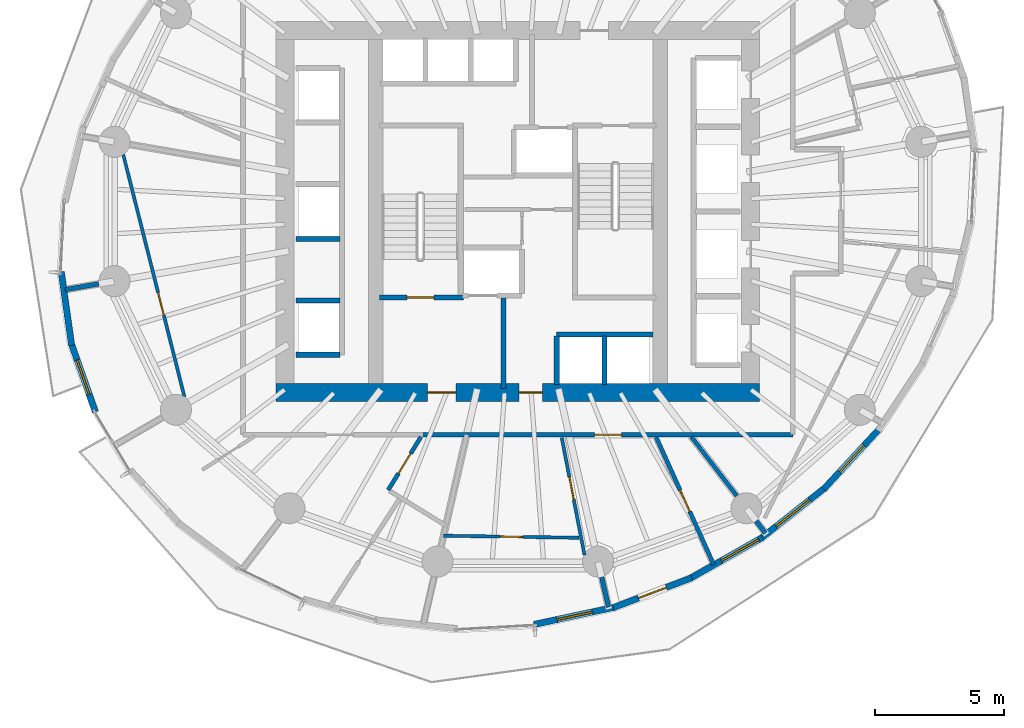
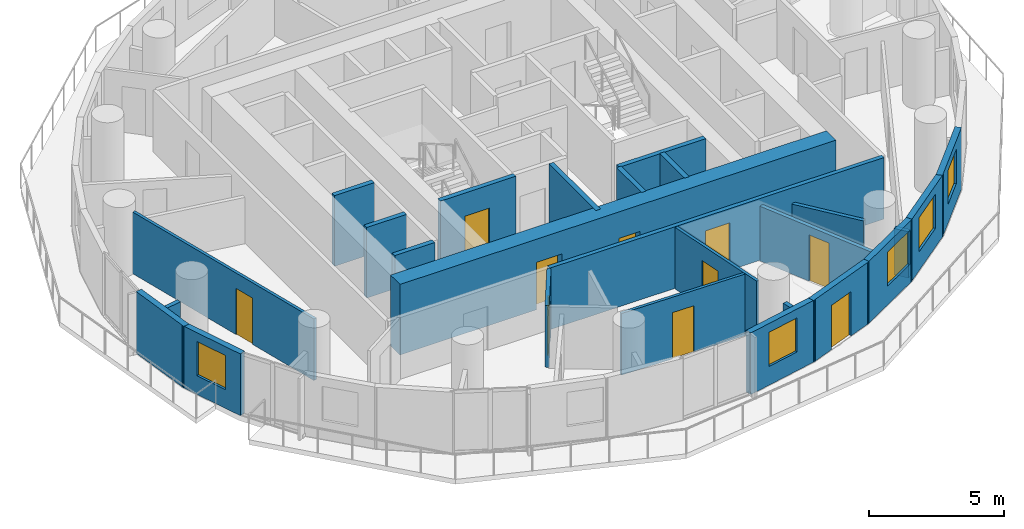
# One storey, part 7 of 15: 26 walls, 10 doors, 5 windows, 15 openings.
"""IFC4 building model written with IfcOpenShell, lengths in metres."""

from ifc_helpers import new_model, si_unit, direction, frame, frame_2d, origin, place, context, subcontext, project, spatial, rectangle, extrude, material, layer, layer_set, type_object, element, fill, save


model = new_model("IFC4")

# Units and contexts
model_context = context("Model", 3, precision=1e-05, world=origin(), true_north=direction((0.0, 1.0)))
body_context = subcontext(model_context, "Body", "Model", "MODEL_VIEW")
ifc_project = project(units=[si_unit("LENGTHUNIT", "METRE"), si_unit("AREAUNIT", "SQUARE_METRE"), si_unit("VOLUMEUNIT", "CUBIC_METRE"), si_unit("PLANEANGLEUNIT", "RADIAN"), si_unit("MASSUNIT", "GRAM", prefix="KILO")], contexts=[model_context])

# Site, building, storey
site_placement = place(None, origin())
site = spatial("IfcSite", under=ifc_project, at=site_placement, CompositionType="ELEMENT")
building_placement = place(site_placement, origin())
building = spatial("IfcBuilding", under=site, at=building_placement, Name="Veldorim Arch Residences", CompositionType="ELEMENT")
storey_placement = place(building_placement, frame((0.0, 0.0, 109.280029296875)))
storey = spatial("IfcBuildingStorey", under=building, at=storey_placement, Name="L32", CompositionType="ELEMENT", Elevation=109.280029296875)

# Wall, opening, door
ifc_material_1 = material(Name="Acoustic Gypsum Board", Category="gypsum")
ifc_layer_1 = layer(ifc_material_1, 0.125, Name="Acoustic Stud Room Partition Wall 125")
ifc_layer_set_1 = layer_set([ifc_layer_1], Name="Acoustic Gypsum Board")
wall_type_1 = type_object("IfcWallType", Name="Acoustic Stud Room Partition Wall 125", PredefinedType="PARTITIONING", material=ifc_layer_set_1)
wall_1_placement = place(storey_placement, frame((34.576904296875, 10.718994140625, 0.0), z_axis=(0.0, 0.0, 1.0), x_axis=(-0.19043944415, 0.981698944744, 0.0)))
wall_1 = element("IfcWall", 1, at=wall_1_placement, inside=storey, type_object=wall_type_1, Name="L32 interior wall WL-RES-L32-012", PredefinedType="PARTITIONING", context=body_context, shape_type="SweptSolid", body=[
    extrude(rectangle(XDim=4.61767578125, YDim=0.125, at=frame_2d((2.308837890625, 0.0))), origin(), (0.0, 0.0, 1.0), 2.794921875),
])
opening_1_placement = place(wall_1_placement, frame((2.18701171875, 0.0, 0.0)))
opening_1 = element("IfcOpeningElement", 2, at=opening_1_placement, cuts=wall_1, Name="Opening DR-INT", PredefinedType="OPENING", context=body_context, shape_type="SweptSolid", body=[
    extrude(rectangle(XDim=0.89990234375, YDim=2.10009765625, at=frame_2d((0.449951171875, 1.050048828125))), frame((0.0, 0.072509765625, 0.0), z_axis=(0.0, -1.0, 0.0), x_axis=(1.0, 0.0, 0.0)), (0.0, 0.0, 1.0), 0.14501953125),
])
ifc_material_2 = material(Name="Engineered Timber", Category="wood")
door_type_1 = type_object("IfcDoorType", Name="Apartment Internal Room Timber Door 900x2100", OperationType="SINGLE_SWING_LEFT", PredefinedType="DOOR", material=ifc_material_2)
door_1_placement = place(opening_1_placement, origin())
door_1 = element("IfcDoor", 3, at=door_1_placement, inside=storey, type_object=door_type_1, Name="L32 interior door DR-RES-L32-003", OperationType="SINGLE_SWING_LEFT", OverallHeight=2.10009765625, OverallWidth=0.89990234375, PredefinedType="DOOR", context=body_context, shape_type="SweptSolid", body=[
    extrude(rectangle(XDim=0.89990234375, YDim=2.10009765625, at=frame_2d((0.449951171875, 1.050048828125))), frame((0.0, 0.02490234375, 0.0), z_axis=(0.0, -1.0, 0.0), x_axis=(1.0, 0.0, 0.0)), (0.0, 0.0, 1.0), 0.050048828125),
])
fill(opening_1, door_1)

wall_2_placement = place(storey_placement, frame((34.3681640625, 11.38427734375, 0.0), z_axis=(0.0, 0.0, 1.0), x_axis=(-0.999882579861, 0.015324049414, 0.0)))
wall_2 = element("IfcWall", 4, at=wall_2_placement, inside=storey, type_object=wall_type_1, Name="L32 interior wall WL-RES-L32-014", PredefinedType="PARTITIONING", context=body_context, shape_type="SweptSolid", body=[
    extrude(rectangle(XDim=5.24169921875, YDim=0.125, at=frame_2d((2.620849609375, 0.0))), origin(), (0.0, 0.0, 1.0), 2.794921875),
])
opening_2_placement = place(wall_2_placement, frame((2.1708984375, 0.0, 0.0)))
opening_2 = element("IfcOpeningElement", 5, at=opening_2_placement, cuts=wall_2, Name="Opening DR-INT", PredefinedType="OPENING", context=body_context, shape_type="SweptSolid", body=[
    extrude(rectangle(XDim=0.89990234375, YDim=2.10009765625, at=frame_2d((0.449951171875, 1.050048828125))), frame((0.0, 0.072509765625, 0.0), z_axis=(0.0, -1.0, 0.0), x_axis=(1.0, 0.0, 0.0)), (0.0, 0.0, 1.0), 0.14501953125),
])
door_2_placement = place(opening_2_placement, origin())
door_2 = element("IfcDoor", 6, at=door_2_placement, inside=storey, type_object=door_type_1, Name="L32 interior door DR-RES-L32-004", OperationType="SINGLE_SWING_RIGHT", OverallHeight=2.10009765625, OverallWidth=0.89990234375, PredefinedType="DOOR", context=body_context, shape_type="SweptSolid", body=[
    extrude(rectangle(XDim=0.89990234375, YDim=2.10009765625, at=frame_2d((0.449951171875, 1.050048828125))), frame((0.0, 0.02490234375, 0.0), z_axis=(0.0, -1.0, 0.0), x_axis=(1.0, 0.0, 0.0)), (0.0, 0.0, 1.0), 0.050048828125),
])
fill(opening_2, door_2)

wall_3_placement = place(storey_placement, frame((19.111328125, 16.82568359375, 0.0), z_axis=(0.0, 0.0, 1.0), x_axis=(-0.244982180272, 0.969527581531, 0.0)))
wall_3 = element("IfcWall", 7, at=wall_3_placement, inside=storey, type_object=wall_type_1, Name="L32 interior wall WL-RES-L32-036", PredefinedType="PARTITIONING", context=body_context, shape_type="SweptSolid", body=[
    extrude(rectangle(XDim=9.670654296875, YDim=0.125, at=frame_2d((4.83544921875, 0.0))), origin(), (0.0, 0.0, 1.0), 2.794921875),
])
opening_3_placement = place(wall_3_placement, frame((3.265380859375, 0.0, 0.0)))
opening_3 = element("IfcOpeningElement", 8, at=opening_3_placement, cuts=wall_3, Name="Opening DR-INT", PredefinedType="OPENING", context=body_context, shape_type="SweptSolid", body=[
    extrude(rectangle(XDim=0.89990234375, YDim=2.10009765625, at=frame_2d((0.449951171875, 1.050048828125))), frame((0.0, 0.072509765625, 0.0), z_axis=(0.0, -1.0, 0.0), x_axis=(1.0, 0.0, 0.0)), (0.0, 0.0, 1.0), 0.14501953125),
])
door_3_placement = place(opening_3_placement, origin())
door_3 = element("IfcDoor", 9, at=door_3_placement, inside=storey, type_object=door_type_1, Name="L32 interior door DR-RES-L32-022", OperationType="SINGLE_SWING_RIGHT", OverallHeight=2.10009765625, OverallWidth=0.89990234375, PredefinedType="DOOR", context=body_context, shape_type="SweptSolid", body=[
    extrude(rectangle(XDim=0.89990234375, YDim=2.10009765625, at=frame_2d((0.449951171875, 1.050048828125))), frame((0.0, 0.02490234375, 0.0), z_axis=(0.0, -1.0, 0.0), x_axis=(1.0, 0.0, 0.0)), (0.0, 0.0, 1.0), 0.050048828125),
])
fill(opening_3, door_3)

# Walls
ifc_material_3 = material(Name="Lightweight Masonry Block & Gypsum", Category="masonry")
ifc_layer_2 = layer(ifc_material_3, 0.179931640625, Name="Compartment & Corridor Fire-Rated Party Wall 180")
ifc_layer_set_2 = layer_set([ifc_layer_2], Name="Lightweight Masonry Block & Gypsum")
wall_type_2 = type_object("IfcWallType", Name="Compartment & Corridor Fire-Rated Party Wall 180", PredefinedType="PARTITIONING", material=ifc_layer_set_2)
wall_4_placement = place(storey_placement, frame((15.79443359375, 21.202392578125, 0.0), z_axis=(0.0, 0.0, 1.0), x_axis=(-0.98541625201, -0.170161130326, 0.0)))
element("IfcWall", 10, at=wall_4_placement, inside=storey, type_object=wall_type_2, Name="L32 interior wall WL-PIER-L32-09", PredefinedType="PARTITIONING", context=body_context, shape_type="SweptSolid", body=[
    extrude(rectangle(XDim=1.318603515625, YDim=0.179931640625, at=frame_2d((0.6591796875, 0.0))), origin(), (0.0, 0.0, 1.0), 2.100341796875),
])
wall_5_placement = place(storey_placement, frame((35.240478515625, 9.86083984375, 0.0), z_axis=(0.0, 0.0, 1.0), x_axis=(0.223327310752, -0.974743511018, 0.0)))
element("IfcWall", 11, at=wall_5_placement, inside=storey, type_object=wall_type_2, Name="L32 interior wall WL-PIER-L32-13", PredefinedType="PARTITIONING", context=body_context, shape_type="SweptSolid", body=[
    extrude(rectangle(XDim=1.187255859375, YDim=0.179931640625, at=frame_2d((0.59375, 0.0))), origin(), (0.0, 0.0, 1.0), 2.100341796875),
])
wall_6_placement = place(storey_placement, frame((41.2119140625, 12.034423828125, 0.0), z_axis=(0.0, 0.0, 1.0), x_axis=(0.609790512648, -0.792562635181, 0.0)))
element("IfcWall", 12, at=wall_6_placement, inside=storey, type_object=wall_type_2, Name="L32 interior wall WL-PIER-L32-14", PredefinedType="PARTITIONING", context=body_context, shape_type="SweptSolid", body=[
    extrude(rectangle(XDim=0.591796875, YDim=0.179931640625, at=frame_2d((0.2958984375, 0.0))), origin(), (0.0, 0.0, 1.0), 2.100341796875),
])

# Wall, opening, door
wall_7_placement = place(storey_placement, frame((42.6298828125, 15.3701171875, 0.0), z_axis=(0.0, 0.0, 1.0), x_axis=(-1.0, 0.0, 0.0)))
wall_7 = element("IfcWall", 13, at=wall_7_placement, inside=storey, type_object=wall_type_2, Name="L32 interior wall WL-RES-L32-001", PredefinedType="PARTITIONING", context=body_context, shape_type="SweptSolid", body=[
    extrude(rectangle(XDim=14.345703125, YDim=0.179931640625, at=frame_2d((7.1728515625, 0.0))), origin(), (0.0, 0.0, 1.0), 2.794921875),
])
opening_4_placement = place(wall_7_placement, frame((6.614990234375, 0.0, 0.0)))
opening_4 = element("IfcOpeningElement", 14, at=opening_4_placement, cuts=wall_7, Name="Opening DR-FLT", PredefinedType="OPENING", context=body_context, shape_type="SweptSolid", body=[
    extrude(rectangle(XDim=1.050048828125, YDim=2.14990234375, at=frame_2d((0.52490234375, 1.074951171875))), frame((0.0, 0.099853515625, 0.0), z_axis=(0.0, -1.0, 0.0), x_axis=(1.0, 0.0, 0.0)), (0.0, 0.0, 1.0), 0.199951171875),
])
ifc_material_4 = material(Name="Fire-Rated Timber", Category="wood")
door_type_2 = type_object("IfcDoorType", Name="Apartment Entrance Solid-Core Fire Door 1050x2150", OperationType="SINGLE_SWING_LEFT", PredefinedType="DOOR", material=ifc_material_4)
door_4_placement = place(opening_4_placement, origin())
door_4 = element("IfcDoor", 15, at=door_4_placement, inside=storey, type_object=door_type_2, Name="L32 interior door DR-RES-L32-001", OperationType="SINGLE_SWING_LEFT", OverallHeight=2.14990234375, OverallWidth=1.050048828125, PredefinedType="DOOR", context=body_context, shape_type="SweptSolid", body=[
    extrude(rectangle(XDim=1.050048828125, YDim=2.14990234375, at=frame_2d((0.52490234375, 1.074951171875))), frame((0.0, 0.02490234375, 0.0), z_axis=(0.0, -1.0, 0.0), x_axis=(1.0, 0.0, 0.0)), (0.0, 0.0, 1.0), 0.050048828125),
])
fill(opening_4, door_4)

ifc_material_5 = material(Name="Concrete C50/60", Category="concrete")
ifc_layer_3 = layer(ifc_material_5, 0.199951171875, Name="Core Stair & Lift Shaft Enclosure Wall 200")
ifc_layer_set_3 = layer_set([ifc_layer_3], Name="Concrete C50/60")
wall_type_3 = type_object("IfcWallType", Name="Core Stair & Lift Shaft Enclosure Wall 200", PredefinedType="SHEAR", material=ifc_layer_set_3)
wall_8_placement = place(storey_placement, frame((26.64990234375, 20.669921875, 0.0), z_axis=(0.0, 0.0, 1.0), x_axis=(1.0, 0.0, 0.0)))
wall_8 = element("IfcWall", 16, at=wall_8_placement, inside=storey, type_object=wall_type_3, Name="L32 shaft wall WL-SHF-L32-ST1-S", PredefinedType="SHEAR", context=body_context, shape_type="SweptSolid", body=[
    extrude(rectangle(XDim=3.239990234375, YDim=0.199951171875, at=frame_2d((1.6201171875, 0.0))), origin(), (0.0, 0.0, 1.0), 3.199951171875),
])
opening_5_placement = place(wall_8_placement, frame((1.054931640625, 0.0, 0.0)))
opening_5 = element("IfcOpeningElement", 17, at=opening_5_placement, cuts=wall_8, Name="Opening DR-ST", PredefinedType="OPENING", context=body_context, shape_type="SweptSolid", body=[
    extrude(rectangle(XDim=1.050048828125, YDim=2.14990234375, at=frame_2d((0.52490234375, 1.074951171875))), frame((0.0, 0.10986328125, 0.0), z_axis=(0.0, -1.0, 0.0), x_axis=(1.0, 0.0, 0.0)), (0.0, 0.0, 1.0), 0.219970703125),
])
ifc_material_6 = material(Name="Fire-Rated Steel", Category="steel")
door_type_3 = type_object("IfcDoorType", Name="Exit Staircase Self-Closing Fire Door 1050x2150", OperationType="SINGLE_SWING_LEFT", PredefinedType="DOOR", material=ifc_material_6)
door_5_placement = place(opening_5_placement, origin())
door_5 = element("IfcDoor", 18, at=door_5_placement, inside=storey, type_object=door_type_3, Name="L32 interior door DR-L32-ST1", OperationType="SINGLE_SWING_LEFT", OverallHeight=2.14990234375, OverallWidth=1.050048828125, PredefinedType="DOOR", context=body_context, shape_type="SweptSolid", body=[
    extrude(rectangle(XDim=1.050048828125, YDim=2.14990234375, at=frame_2d((0.52490234375, 1.074951171875))), frame((0.0, 0.02490234375, 0.0), z_axis=(0.0, -1.0, 0.0), x_axis=(1.0, 0.0, 0.0)), (0.0, 0.0, 1.0), 0.050048828125),
])
fill(opening_5, door_5)

# Walls
wall_9_placement = place(storey_placement, frame((31.449951171875, 17.14990234375, 0.0), z_axis=(0.0, 0.0, 1.0), x_axis=(0.0, 1.0, 0.0)))
element("IfcWall", 19, at=wall_9_placement, inside=storey, type_object=wall_type_3, Name="L32 shaft wall WL-FFL1-L32-E", PredefinedType="SHEAR", context=body_context, shape_type="SweptSolid", body=[
    extrude(rectangle(XDim=3.5, YDim=0.199951171875, at=frame_2d((1.75, 0.0))), origin(), (0.0, 0.0, 1.0), 3.199951171875),
])
for number, where, z_axis, x_axis, name in (
    (20, (23.419921875, 18.4599609375, 0.0), (0.0, 0.0, 1.0), (1.0, 0.0, 0.0), "L32 shaft wall WL-B2-L32-S"),
    (21, (23.419921875, 20.56005859375, 0.0), (0.0, 0.0, 1.0), (1.0, 0.0, 0.0), "L32 shaft wall WL-B2-L32-D1A"),
    (22, (23.419921875, 22.93994140625, 0.0), (0.0, 0.0, 1.0), (1.0, 0.0, 0.0), "L32 shaft wall WL-B2-L32-D1B"),
):
    element("IfcWall", number, at=place(storey_placement, frame(where, z_axis=z_axis, x_axis=x_axis)), inside=storey, type_object=wall_type_3, Name=name, PredefinedType="SHEAR", context=body_context, shape_type="SweptSolid", body=[
        extrude(rectangle(XDim=1.7099609375, YDim=0.199951171875, at=frame_2d((0.85498046875, 0.0))), origin(), (0.0, 0.0, 1.0), 3.199951171875),
    ])
wall_10_placement = place(storey_placement, frame((33.5, 19.25, 0.0), z_axis=(0.0, 0.0, 1.0), x_axis=(1.0, 0.0, 0.0)))
element("IfcWall", 23, at=wall_10_placement, inside=storey, type_object=wall_type_3, Name="L32 shaft wall WL-OL-L32-N", PredefinedType="SHEAR", context=body_context, shape_type="SweptSolid", body=[
    extrude(rectangle(XDim=3.719970703125, YDim=0.199951171875, at=frame_2d((1.85986328125, 0.0))), origin(), (0.0, 0.0, 1.0), 3.199951171875),
])
for number, where, z_axis, x_axis, name in (
    (24, (33.5, 17.320068359375, 0.0), (0.0, 0.0, 1.0), (0.0, 1.0, 0.0), "L32 shaft wall WL-OL-L32-W"),
    (25, (35.35009765625, 17.320068359375, 0.0), (0.0, 0.0, 1.0), (0.0, 1.0, 0.0), "L32 shaft wall WL-OL-L32-D1"),
):
    element("IfcWall", number, at=place(storey_placement, frame(where, z_axis=z_axis, x_axis=x_axis)), inside=storey, type_object=wall_type_3, Name=name, PredefinedType="SHEAR", context=body_context, shape_type="SweptSolid", body=[
        extrude(rectangle(XDim=1.85986328125, YDim=0.199951171875, at=frame_2d((0.929931640625, 0.0))), origin(), (0.0, 0.0, 1.0), 3.199951171875),
    ])

# Wall, openings, doors
ifc_material_7 = material(Name="Concrete C60/75", Category="concrete")
ifc_layer_4 = layer(ifc_material_7, 0.699951171875, Name="Mid-Lower Central Core Shear Wall 700")
ifc_layer_set_4 = layer_set([ifc_layer_4], Name="Concrete C60/75")
wall_type_4 = type_object("IfcWallType", Name="Mid-Lower Central Core Shear Wall 700", PredefinedType="SHEAR", material=ifc_layer_set_4)
wall_11_placement = place(storey_placement, frame((22.64990234375, 17.0, 0.0), z_axis=(0.0, 0.0, 1.0), x_axis=(1.0, 0.0, 0.0)))
wall_11 = element("IfcWall", 26, at=wall_11_placement, inside=storey, type_object=wall_type_4, Name="L32 central core south shear wall", PredefinedType="SHEAR", context=body_context, shape_type="SweptSolid", body=[
    extrude(rectangle(XDim=18.7001953125, YDim=0.699951171875, at=frame_2d((9.35009765625, 0.0))), origin(), (0.0, 0.0, 1.0), 3.199951171875),
])
opening_6_placement = place(wall_11_placement, frame((5.85009765625, 0.0, 0.0)))
opening_6 = element("IfcOpeningElement", 27, at=opening_6_placement, cuts=wall_11, Name="Opening DR-FFL", PredefinedType="OPENING", context=body_context, shape_type="SweptSolid", body=[
    extrude(rectangle(XDim=1.10009765625, YDim=2.14990234375, at=frame_2d((0.550048828125, 1.074951171875))), frame((0.0, 0.35986328125, 0.0), z_axis=(0.0, -1.0, 0.0), x_axis=(1.0, 0.0, 0.0)), (0.0, 0.0, 1.0), 0.719970703125),
])
opening_7_placement = place(wall_11_placement, frame((9.39990234375, 0.0, 0.0)))
opening_7 = element("IfcOpeningElement", 28, at=opening_7_placement, cuts=wall_11, Name="Opening DR-SVC2", PredefinedType="OPENING", context=body_context, shape_type="SweptSolid", body=[
    extrude(rectangle(XDim=0.89990234375, YDim=2.0, at=frame_2d((0.449951171875, 1.0))), frame((0.0, 0.35986328125, 0.0), z_axis=(0.0, -1.0, 0.0), x_axis=(1.0, 0.0, 0.0)), (0.0, 0.0, 1.0), 0.719970703125),
])
ifc_material_8 = material(Name="Fire-Rated Steel & Vision Glass", Category="steel")
door_type_4 = type_object("IfcDoorType", Name="Firefighting Lobby Smoke-Stop Fire Door 1100x2150", OperationType="SINGLE_SWING_LEFT", PredefinedType="DOOR", material=ifc_material_8)
door_6_placement = place(opening_6_placement, origin())
door_6 = element("IfcDoor", 29, at=door_6_placement, inside=storey, type_object=door_type_4, Name="L32 interior door DR-L32-FFL1", OperationType="SINGLE_SWING_RIGHT", OverallHeight=2.14990234375, OverallWidth=1.10009765625, PredefinedType="DOOR", context=body_context, shape_type="SweptSolid", body=[
    extrude(rectangle(XDim=1.10009765625, YDim=2.14990234375, at=frame_2d((0.550048828125, 1.074951171875))), frame((0.0, 0.02490234375, 0.0), z_axis=(0.0, -1.0, 0.0), x_axis=(1.0, 0.0, 0.0)), (0.0, 0.0, 1.0), 0.050048828125),
])
fill(opening_6, door_6)
ifc_material_9 = material(Name="Fire-Rated Steel", Category="steel")
door_type_5 = type_object("IfcDoorType", Name="Riser & Plant Low-Soffit Rated Steel Door 900x2000", OperationType="SINGLE_SWING_LEFT", PredefinedType="DOOR", material=ifc_material_9)
door_7_placement = place(opening_7_placement, origin())
door_7 = element("IfcDoor", 30, at=door_7_placement, inside=storey, type_object=door_type_5, Name="L32 interior door DR-L32-COR-ANC", OperationType="SINGLE_SWING_LEFT", OverallHeight=2.0, OverallWidth=0.89990234375, PredefinedType="DOOR", context=body_context, shape_type="SweptSolid", body=[
    extrude(rectangle(XDim=0.89990234375, YDim=2.0, at=frame_2d((0.449951171875, 1.0))), frame((0.0, 0.02490234375, 0.0), z_axis=(0.0, -1.0, 0.0), x_axis=(1.0, 0.0, 0.0)), (0.0, 0.0, 1.0), 0.050048828125),
])
fill(opening_7, door_7)

# Wall
ifc_material_10 = material(Name="Precast concrete C40/50", Category="concrete")
ifc_layer_5 = layer(ifc_material_10, 0.25, Name="Tower Terracotta Spandrel & Pier Wall 250")
ifc_layer_set_5 = layer_set([ifc_layer_5], Name="Precast concrete C40/50")
wall_type_5 = type_object("IfcWallType", Name="Tower Terracotta Spandrel & Pier Wall 250", PredefinedType="SOLIDWALL", material=ifc_layer_set_5)
wall_12_placement = place(storey_placement, frame((14.744140625, 18.823974609375, 0.0), z_axis=(0.0, 0.0, 1.0), x_axis=(-0.139982311006, 0.990154004489, 0.0)))
element("IfcWall", 31, at=wall_12_placement, inside=storey, type_object=wall_type_5, Name="L32 terracotta facade wall 17", PredefinedType="SOLIDWALL", context=body_context, shape_type="SweptSolid", body=[
    extrude(rectangle(XDim=2.874267578125, YDim=0.25, at=frame_2d((1.43701171875, 0.0))), origin(), (0.0, 0.0, 1.0), 2.800048828125),
])

# Wall, opening, window
wall_13_placement = place(storey_placement, frame((15.6650390625, 16.25, 0.0), z_axis=(0.0, 0.0, 1.0), x_axis=(-0.332923265962, 0.942953921982, 0.0)))
wall_13 = element("IfcWall", 32, at=wall_13_placement, inside=storey, type_object=wall_type_5, Name="L32 terracotta facade wall 18", PredefinedType="SOLIDWALL", context=body_context, shape_type="SweptSolid", body=[
    extrude(rectangle(XDim=2.847412109375, YDim=0.25, at=frame_2d((1.423828125, 0.0))), origin(), (0.0, 0.0, 1.0), 2.800048828125),
])
opening_8_placement = place(wall_13_placement, frame((0.72412109375, 0.0, 0.85009765625)))
opening_8 = element("IfcOpeningElement", 33, at=opening_8_placement, cuts=wall_13, Name="Opening WN-02", PredefinedType="OPENING", context=body_context, shape_type="SweptSolid", body=[
    extrude(rectangle(XDim=1.39990234375, YDim=1.550048828125, at=frame_2d((0.699951171875, 0.77490234375))), frame((0.0, 0.135009765625, 0.0), z_axis=(0.0, -1.0, 0.0), x_axis=(1.0, 0.0, 0.0)), (0.0, 0.0, 1.0), 0.27001953125),
])
ifc_material_11 = material(Name="Laminated Low-E Glass", Category="glass")
window_type_1 = type_object("IfcWindowType", Name="Residential Casement Window 1400x1550", PartitioningType="SINGLE_PANEL", PredefinedType="WINDOW", material=ifc_material_11)
window_1_placement = place(opening_8_placement, origin())
window_1 = element("IfcWindow", 34, at=window_1_placement, inside=storey, type_object=window_type_1, Name="L32 solar-control facade window 18", OverallHeight=1.550048828125, OverallWidth=1.39990234375, PartitioningType="SINGLE_PANEL", PredefinedType="WINDOW", context=body_context, shape_type="SweptSolid", body=[
    extrude(rectangle(XDim=1.39990234375, YDim=1.550048828125, at=frame_2d((0.699951171875, 0.77490234375))), frame((0.0, 0.030029296875, 0.0), z_axis=(0.0, -1.0, 0.0), x_axis=(1.0, 0.0, 0.0)), (0.0, 0.0, 1.0), 0.06005859375),
])
fill(opening_8, window_1)

wall_14_placement = place(storey_placement, frame((35.783203125, 8.70703125, 0.0), z_axis=(0.0, 0.0, 1.0), x_axis=(-0.977758229837, -0.209735175845, 0.0)))
wall_14 = element("IfcWall", 35, at=wall_14_placement, inside=storey, type_object=wall_type_5, Name="L32 terracotta facade wall 26", PredefinedType="SOLIDWALL", context=body_context, shape_type="SweptSolid", body=[
    extrude(rectangle(XDim=3.236083984375, YDim=0.25, at=frame_2d((1.6181640625, 0.0))), origin(), (0.0, 0.0, 1.0), 2.800048828125),
])
opening_9_placement = place(wall_14_placement, frame((0.91796875, 0.0, 0.85009765625)))
opening_9 = element("IfcOpeningElement", 36, at=opening_9_placement, cuts=wall_14, Name="Opening WN-02", PredefinedType="OPENING", context=body_context, shape_type="SweptSolid", body=[
    extrude(rectangle(XDim=1.39990234375, YDim=1.550048828125, at=frame_2d((0.699951171875, 0.77490234375))), frame((0.0, 0.135009765625, 0.0), z_axis=(0.0, -1.0, 0.0), x_axis=(1.0, 0.0, 0.0)), (0.0, 0.0, 1.0), 0.27001953125),
])
window_2_placement = place(opening_9_placement, origin())
window_2 = element("IfcWindow", 37, at=window_2_placement, inside=storey, type_object=window_type_1, Name="L32 solar-control facade window 26", OverallHeight=1.550048828125, OverallWidth=1.39990234375, PartitioningType="SINGLE_PANEL", PredefinedType="WINDOW", context=body_context, shape_type="SweptSolid", body=[
    extrude(rectangle(XDim=1.39990234375, YDim=1.550048828125, at=frame_2d((0.699951171875, 0.77490234375))), frame((0.0, 0.030029296875, 0.0), z_axis=(0.0, -1.0, 0.0), x_axis=(1.0, 0.0, 0.0)), (0.0, 0.0, 1.0), 0.06005859375),
])
fill(opening_9, window_2)

# Wall, opening, door
wall_15_placement = place(storey_placement, frame((38.724853515625, 9.83642578125, 0.0), z_axis=(0.0, 0.0, 1.0), x_axis=(-0.934481801939, -0.3560109013, 0.0)))
wall_15 = element("IfcWall", 38, at=wall_15_placement, inside=storey, type_object=wall_type_5, Name="L32 terracotta facade wall 27", PredefinedType="SOLIDWALL", context=body_context, shape_type="SweptSolid", body=[
    extrude(rectangle(XDim=3.259521484375, YDim=0.25, at=frame_2d((1.6298828125, 0.0))), origin(), (0.0, 0.0, 1.0), 2.800048828125),
])
opening_10_placement = place(wall_15_placement, frame((1.054931640625, 0.0, 0.0)))
opening_10 = element("IfcOpeningElement", 39, at=opening_10_placement, cuts=wall_15, Name="Opening BL-DR2", PredefinedType="OPENING", context=body_context, shape_type="SweptSolid", body=[
    extrude(rectangle(XDim=1.14990234375, YDim=2.010009765625, at=frame_2d((0.574951171875, 1.0048828125))), frame((0.0, 0.135009765625, 0.0), z_axis=(0.0, -1.0, 0.0), x_axis=(1.0, 0.0, 0.0)), (0.0, 0.0, 1.0), 0.27001953125),
])
ifc_material_12 = material(Name="Aluminium & Low-E Glass", Category="aluminium")
door_type_6 = type_object("IfcDoorType", Name="Glazed Planted Balcony Low-Soffit Door 1150x2010", OperationType="SINGLE_SWING_LEFT", PredefinedType="DOOR", material=ifc_material_12)
door_8_placement = place(opening_10_placement, origin())
door_8 = element("IfcDoor", 40, at=door_8_placement, inside=storey, type_object=door_type_6, Name="L32 glazed outdoor terrace door BALC-2", OperationType="SINGLE_SWING_LEFT", OverallHeight=2.010009765625, OverallWidth=1.14990234375, PredefinedType="DOOR", context=body_context, shape_type="SweptSolid", body=[
    extrude(rectangle(XDim=1.14990234375, YDim=2.010009765625, at=frame_2d((0.574951171875, 1.0048828125))), frame((0.0, 0.02490234375, 0.0), z_axis=(0.0, -1.0, 0.0), x_axis=(1.0, 0.0, 0.0)), (0.0, 0.0, 1.0), 0.050048828125),
])
fill(opening_10, door_8)

# Wall, opening, window
wall_16_placement = place(storey_placement, frame((41.462158203125, 11.3974609375, 0.0), z_axis=(0.0, 0.0, 1.0), x_axis=(-0.869984700924, -0.493078715986, 0.0)))
wall_16 = element("IfcWall", 41, at=wall_16_placement, inside=storey, type_object=wall_type_5, Name="L32 terracotta facade wall 28", PredefinedType="SOLIDWALL", context=body_context, shape_type="SweptSolid", body=[
    extrude(rectangle(XDim=3.259521484375, YDim=0.25, at=frame_2d((1.6298828125, 0.0))), origin(), (0.0, 0.0, 1.0), 2.800048828125),
])
opening_11_placement = place(wall_16_placement, frame((0.175048828125, 0.0, 0.85009765625)))
opening_11 = element("IfcOpeningElement", 42, at=opening_11_placement, cuts=wall_16, Name="Opening WN-03", PredefinedType="OPENING", context=body_context, shape_type="SweptSolid", body=[
    extrude(rectangle(XDim=1.64990234375, YDim=1.550048828125, at=frame_2d((0.824951171875, 0.77490234375))), frame((0.0, 0.135009765625, 0.0), z_axis=(0.0, -1.0, 0.0), x_axis=(1.0, 0.0, 0.0)), (0.0, 0.0, 1.0), 0.27001953125),
])
ifc_material_13 = material(Name="Laminated Low-E Glass", Category="glass")
window_type_2 = type_object("IfcWindowType", Name="Residential Wide Window 1650x1550", PartitioningType="SINGLE_PANEL", PredefinedType="WINDOW", material=ifc_material_13)
window_3_placement = place(opening_11_placement, origin())
window_3 = element("IfcWindow", 43, at=window_3_placement, inside=storey, type_object=window_type_2, Name="L32 solar-control facade window 28", OverallHeight=1.550048828125, OverallWidth=1.64990234375, PartitioningType="SINGLE_PANEL", PredefinedType="WINDOW", context=body_context, shape_type="SweptSolid", body=[
    extrude(rectangle(XDim=1.64990234375, YDim=1.550048828125, at=frame_2d((0.824951171875, 0.77490234375))), frame((0.0, 0.030029296875, 0.0), z_axis=(0.0, -1.0, 0.0), x_axis=(1.0, 0.0, 0.0)), (0.0, 0.0, 1.0), 0.06005859375),
])
fill(opening_11, window_3)

wall_17_placement = place(storey_placement, frame((43.911865234375, 13.34228515625, 0.0), z_axis=(0.0, 0.0, 1.0), x_axis=(-0.784871179145, -0.619658964389, 0.0)))
wall_17 = element("IfcWall", 44, at=wall_17_placement, inside=storey, type_object=wall_type_5, Name="L32 terracotta facade wall 29", PredefinedType="SOLIDWALL", context=body_context, shape_type="SweptSolid", body=[
    extrude(rectangle(XDim=3.236328125, YDim=0.25, at=frame_2d((1.6181640625, 0.0))), origin(), (0.0, 0.0, 1.0), 2.800048828125),
])
opening_12_placement = place(wall_17_placement, frame((0.79296875, 0.0, 0.85009765625)))
opening_12 = element("IfcOpeningElement", 45, at=opening_12_placement, cuts=wall_17, Name="Opening WN-03", PredefinedType="OPENING", context=body_context, shape_type="SweptSolid", body=[
    extrude(rectangle(XDim=1.64990234375, YDim=1.550048828125, at=frame_2d((0.824951171875, 0.77490234375))), frame((0.0, 0.135009765625, 0.0), z_axis=(0.0, -1.0, 0.0), x_axis=(1.0, 0.0, 0.0)), (0.0, 0.0, 1.0), 0.27001953125),
])
window_4_placement = place(opening_12_placement, origin())
window_4 = element("IfcWindow", 46, at=window_4_placement, inside=storey, type_object=window_type_2, Name="L32 solar-control facade window 29", OverallHeight=1.550048828125, OverallWidth=1.64990234375, PartitioningType="SINGLE_PANEL", PredefinedType="WINDOW", context=body_context, shape_type="SweptSolid", body=[
    extrude(rectangle(XDim=1.64990234375, YDim=1.550048828125, at=frame_2d((0.824951171875, 0.77490234375))), frame((0.0, 0.030029296875, 0.0), z_axis=(0.0, -1.0, 0.0), x_axis=(1.0, 0.0, 0.0)), (0.0, 0.0, 1.0), 0.06005859375),
])
fill(opening_12, window_4)

wall_18_placement = place(storey_placement, frame((45.998779296875, 15.611572265625, 0.0), z_axis=(0.0, 0.0, 1.0), x_axis=(-0.678956449941, -0.734178547142, 0.0)))
wall_18 = element("IfcWall", 47, at=wall_18_placement, inside=storey, type_object=wall_type_5, Name="L32 terracotta facade wall 30", PredefinedType="SOLIDWALL", context=body_context, shape_type="SweptSolid", body=[
    extrude(rectangle(XDim=3.19189453125, YDim=0.25, at=frame_2d((1.595947265625, 0.0))), origin(), (0.0, 0.0, 1.0), 2.800048828125),
])
opening_13_placement = place(wall_18_placement, frame((0.89599609375, 0.0, 0.85009765625)))
opening_13 = element("IfcOpeningElement", 48, at=opening_13_placement, cuts=wall_18, Name="Opening WN-02", PredefinedType="OPENING", context=body_context, shape_type="SweptSolid", body=[
    extrude(rectangle(XDim=1.39990234375, YDim=1.550048828125, at=frame_2d((0.699951171875, 0.77490234375))), frame((0.0, 0.135009765625, 0.0), z_axis=(0.0, -1.0, 0.0), x_axis=(1.0, 0.0, 0.0)), (0.0, 0.0, 1.0), 0.27001953125),
])
window_5_placement = place(opening_13_placement, origin())
window_5 = element("IfcWindow", 49, at=window_5_placement, inside=storey, type_object=window_type_1, Name="L32 solar-control facade window 30", OverallHeight=1.550048828125, OverallWidth=1.39990234375, PartitioningType="SINGLE_PANEL", PredefinedType="WINDOW", context=body_context, shape_type="SweptSolid", body=[
    extrude(rectangle(XDim=1.39990234375, YDim=1.550048828125, at=frame_2d((0.699951171875, 0.77490234375))), frame((0.0, 0.030029296875, 0.0), z_axis=(0.0, -1.0, 0.0), x_axis=(1.0, 0.0, 0.0)), (0.0, 0.0, 1.0), 0.06005859375),
])
fill(opening_13, window_5)

# Wall, opening, door
ifc_material_14 = material(Name="Moisture-Resistant Gypsum & Stud", Category="gypsum")
ifc_layer_6 = layer(ifc_material_14, 0.159912109375, Name="Wet-Area Moisture-Resistant Plumbing Wall 160")
ifc_layer_set_6 = layer_set([ifc_layer_6], Name="Moisture-Resistant Gypsum & Stud")
wall_type_6 = type_object("IfcWallType", Name="Wet-Area Moisture-Resistant Plumbing Wall 160", PredefinedType="PLUMBINGWALL", material=ifc_layer_set_6)
wall_19_placement = place(storey_placement, frame((37.344970703125, 15.27880859375, 0.0), z_axis=(0.0, 0.0, 1.0), x_axis=(0.411532357021, -0.911395149825, 0.0)))
wall_19 = element("IfcWall", 50, at=wall_19_placement, inside=storey, type_object=wall_type_6, Name="L32 interior wall WL-RES-L32-011", PredefinedType="PLUMBINGWALL", context=body_context, shape_type="SweptSolid", body=[
    extrude(rectangle(XDim=5.41455078125, YDim=0.159912109375, at=frame_2d((2.707275390625, 0.0))), origin(), (0.0, 0.0, 1.0), 2.4814453125),
])
opening_14_placement = place(wall_19_placement, frame((2.25732421875, 0.0, 0.0)))
opening_14 = element("IfcOpeningElement", 51, at=opening_14_placement, cuts=wall_19, Name="Opening DR-WC", PredefinedType="OPENING", context=body_context, shape_type="SweptSolid", body=[
    extrude(rectangle(XDim=0.89990234375, YDim=2.10009765625, at=frame_2d((0.449951171875, 1.050048828125))), frame((0.0, 0.08984375, 0.0), z_axis=(0.0, -1.0, 0.0), x_axis=(1.0, 0.0, 0.0)), (0.0, 0.0, 1.0), 0.179931640625),
])
ifc_material_15 = material(Name="Laminate Timber", Category="wood")
door_type_7 = type_object("IfcDoorType", Name="Bathroom & Accessible WC Moisture-Sealed Door 900x2100", OperationType="SINGLE_SWING_LEFT", PredefinedType="DOOR", material=ifc_material_15)
door_9_placement = place(opening_14_placement, origin())
door_9 = element("IfcDoor", 52, at=door_9_placement, inside=storey, type_object=door_type_7, Name="L32 interior door DR-RES-L32-002", OperationType="SINGLE_SWING_RIGHT", OverallHeight=2.10009765625, OverallWidth=0.89990234375, PredefinedType="DOOR", context=body_context, shape_type="SweptSolid", body=[
    extrude(rectangle(XDim=0.89990234375, YDim=2.10009765625, at=frame_2d((0.449951171875, 1.050048828125))), frame((0.0, 0.02490234375, 0.0), z_axis=(0.0, -1.0, 0.0), x_axis=(1.0, 0.0, 0.0)), (0.0, 0.0, 1.0), 0.050048828125),
])
fill(opening_14, door_9)

# Wall
wall_20_placement = place(storey_placement, frame((38.704833984375, 15.290771484375, 0.0), z_axis=(0.0, 0.0, 1.0), x_axis=(0.610033601295, -0.792375545617, 0.0)))
element("IfcWall", 53, at=wall_20_placement, inside=storey, type_object=wall_type_6, Name="L32 interior wall WL-RES-L32-013", PredefinedType="PLUMBINGWALL", context=body_context, shape_type="SweptSolid", body=[
    extrude(rectangle(XDim=2.88671875, YDim=0.159912109375, at=frame_2d((1.443359375, 0.0))), origin(), (0.0, 0.0, 1.0), 2.100341796875),
])

# Wall, opening, door
wall_21_placement = place(storey_placement, frame((28.252685546875, 15.284912109375, 0.0), z_axis=(0.0, 0.0, 1.0), x_axis=(-0.524605293124, -0.851345574033, 0.0)))
wall_21 = element("IfcWall", 54, at=wall_21_placement, inside=storey, type_object=wall_type_6, Name="L32 interior wall WL-RES-L32-034", PredefinedType="PLUMBINGWALL", context=body_context, shape_type="SweptSolid", body=[
    extrude(rectangle(XDim=2.41357421875, YDim=0.159912109375, at=frame_2d((1.206787109375, 0.0))), origin(), (0.0, 0.0, 1.0), 2.794921875),
])
opening_15_placement = place(wall_21_placement, frame((0.756591796875, 0.0, 0.0)))
opening_15 = element("IfcOpeningElement", 55, at=opening_15_placement, cuts=wall_21, Name="Opening DR-INT", PredefinedType="OPENING", context=body_context, shape_type="SweptSolid", body=[
    extrude(rectangle(XDim=0.89990234375, YDim=2.10009765625, at=frame_2d((0.449951171875, 1.050048828125))), frame((0.0, 0.08984375, 0.0), z_axis=(0.0, -1.0, 0.0), x_axis=(1.0, 0.0, 0.0)), (0.0, 0.0, 1.0), 0.179931640625),
])
door_10_placement = place(opening_15_placement, origin())
door_10 = element("IfcDoor", 56, at=door_10_placement, inside=storey, type_object=door_type_1, Name="L32 interior door DR-RES-L32-023", OperationType="SINGLE_SWING_LEFT", OverallHeight=2.10009765625, OverallWidth=0.89990234375, PredefinedType="DOOR", context=body_context, shape_type="SweptSolid", body=[
    extrude(rectangle(XDim=0.89990234375, YDim=2.10009765625, at=frame_2d((0.449951171875, 1.050048828125))), frame((0.0, 0.02490234375, 0.0), z_axis=(0.0, -1.0, 0.0), x_axis=(1.0, 0.0, 0.0)), (0.0, 0.0, 1.0), 0.050048828125),
])
fill(opening_15, door_10)

save(model, "model.ifc")
